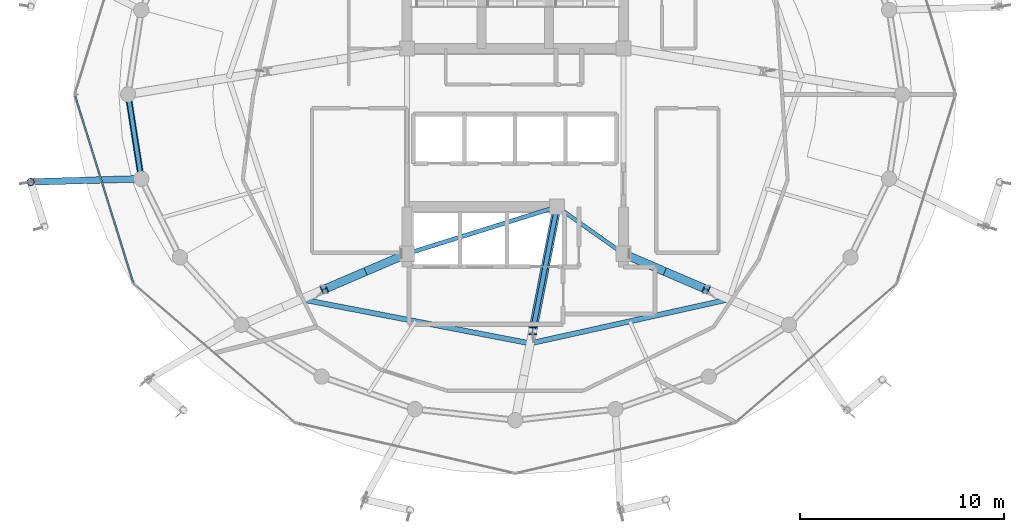
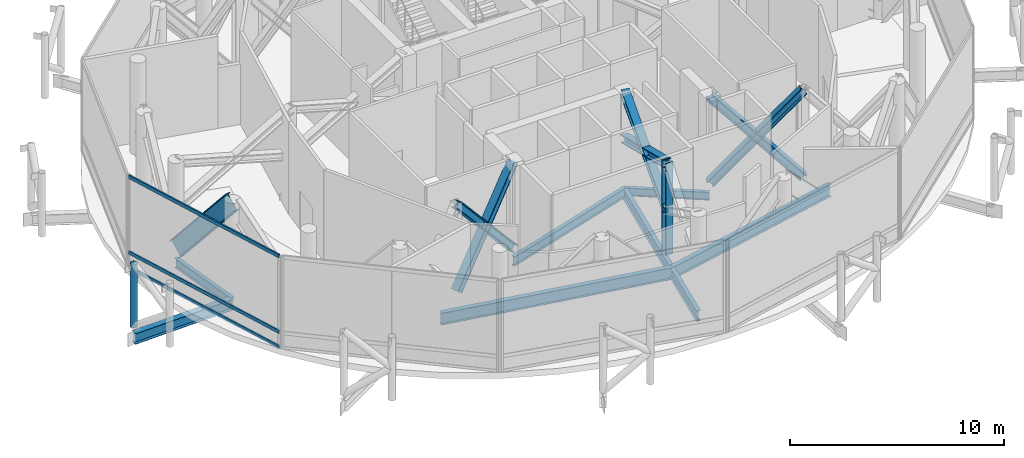
# One storey, part 5 of 26: 12 members, 7 beams, 1 element without a shape of its own.
"""IFC4 building model written with IfcOpenShell, lengths in metres."""

from ifc_helpers import new_model, si_unit, direction, frame, origin, origin_2d, place, context, subcontext, project, spatial, hollow_rectangle, hollow_circle, i_section, extrude, material, layer, layer_set, material_profile, profile_set, type_object, element, aggregate, save


model = new_model("IFC4")

# Units and contexts
model_context = context("Model", 3, precision=1e-05, world=origin(), true_north=direction((0.0, 1.0)))
body_context = subcontext(model_context, "Body", "Model", "MODEL_VIEW")
ifc_project = project(units=[si_unit("LENGTHUNIT", "METRE"), si_unit("AREAUNIT", "SQUARE_METRE"), si_unit("VOLUMEUNIT", "CUBIC_METRE"), si_unit("PLANEANGLEUNIT", "RADIAN"), si_unit("MASSUNIT", "GRAM", prefix="KILO")], contexts=[model_context])

# Site, building, storey
site_placement = place(None, origin())
site = spatial("IfcSite", under=ifc_project, at=site_placement, CompositionType="ELEMENT")
building_placement = place(site_placement, origin())
building = spatial("IfcBuilding", under=site, at=building_placement, Name="Nuhasar Tower", CompositionType="ELEMENT")
storey_placement = place(building_placement, frame((0.0, 0.0, 301.199951171875)))
storey = spatial("IfcBuildingStorey", under=building, at=storey_placement, Name="L75", CompositionType="ELEMENT", Elevation=301.199951171875)

# Member
ifc_material_1 = material(Name="Steel S460", Category="steel")
ifc_material_profile_1 = material_profile(ifc_material_1, i_section(OverallWidth=0.306884765625, OverallDepth=0.927001953125, WebThickness=0.019287109375, FlangeThickness=0.031982421875, at=origin_2d()), Name="W36X194")
ifc_profile_set_1 = profile_set([ifc_material_profile_1], Name="Steel S460")
member_type_1 = type_object("IfcMemberType", Name="BLT-DIAG-W36B", PredefinedType="CHORD", material=ifc_profile_set_1)
member_1_placement = place(storey_placement, frame((20.050048828125, 26.800048828125, 0.150146484375), z_axis=(0.099727894246, -0.637263505636, 0.764165931912), x_axis=(0.987975241776, 0.154612165232, 0.0)))
element("IfcMember", 1, at=member_1_placement, inside=storey, type_object=member_type_1, Name="L75 Belt Truss Diagonal 13", PredefinedType="CHORD", context=body_context, shape_type="SweptSolid", body=[
    extrude(i_section(OverallWidth=0.306884765625, OverallDepth=0.927001953125, WebThickness=0.019287109375, FlangeThickness=0.031982421875, at=origin_2d()), origin(), (0.0, 0.0, 1.0), 6.4775390625),
])

# Beams
ifc_material_2 = material(Name="Steel S355", Category="steel")
ifc_material_profile_2 = material_profile(ifc_material_2, i_section(OverallWidth=0.25390625, OverallDepth=0.68408203125, WebThickness=0.012451171875, FlangeThickness=0.018798828125, at=origin_2d()), Name="W27X94")
ifc_profile_set_2 = profile_set([ifc_material_profile_2], Name="Steel S355")
beam_type_1 = type_object("IfcBeamType", Name="BM-INRING-W27X94", PredefinedType="BEAM", material=ifc_profile_set_2)
beam_1_placement = place(storey_placement, frame((28.51611328125, 16.77392578125, -0.69189453125), z_axis=(0.981944682954, -0.189168283859, 0.0), x_axis=(0.189168283859, 0.981944682954, 0.0)))
element("IfcBeam", 2, at=beam_1_placement, inside=storey, type_object=beam_type_1, Name="L75 Inner Header Beam 01", PredefinedType="BEAM", context=body_context, shape_type="SweptSolid", body=[
    extrude(i_section(OverallWidth=0.25390625, OverallDepth=0.68408203125, WebThickness=0.012451171875, FlangeThickness=0.018798828125, at=origin_2d()), origin(), (0.0, 0.0, 1.0), 11.42822265625),
])
beam_2_placement = place(storey_placement, frame((39.738037109375, 14.612060546875, -0.69189453125), z_axis=(0.97626927806, 0.216560145726, 0.0), x_axis=(-0.216560145726, 0.97626927806, 0.0)))
element("IfcBeam", 3, at=beam_2_placement, inside=storey, type_object=beam_type_1, Name="L75 Inner Header Beam 02", PredefinedType="BEAM", context=body_context, shape_type="SweptSolid", body=[
    extrude(i_section(OverallWidth=0.25390625, OverallDepth=0.68408203125, WebThickness=0.012451171875, FlangeThickness=0.018798828125, at=origin_2d()), origin(), (0.0, 0.0, 1.0), 9.982666015625),
])
ifc_material_profile_3 = material_profile(ifc_material_2, i_section(OverallWidth=0.18994140625, OverallDepth=0.45703125, WebThickness=0.009033203125, FlangeThickness=0.014404296875, at=origin_2d()), Name="W18X50")
ifc_profile_set_3 = profile_set([ifc_material_profile_3], Name="Steel S355")
beam_type_2 = type_object("IfcBeamType", Name="BM-RAD-W18X50", PredefinedType="BEAM", material=ifc_profile_set_3)
beam_3_placement = place(storey_placement, frame((41.050048828125, 21.300048828125, -0.577880859375), z_axis=(0.816265428953, -0.577677028708, 0.0), x_axis=(0.577677028708, 0.816265428953, 0.0)))
element("IfcBeam", 4, at=beam_3_placement, inside=storey, type_object=beam_type_2, Name="L75 Core Ring Girder 2", PredefinedType="BEAM", context=body_context, shape_type="SweptSolid", body=[
    extrude(i_section(OverallWidth=0.18994140625, OverallDepth=0.45703125, WebThickness=0.009033203125, FlangeThickness=0.014404296875, at=origin_2d()), origin(), (0.0, 0.0, 1.0), 3.9814453125),
])
ifc_material_profile_4 = material_profile(ifc_material_2, i_section(OverallWidth=0.208984375, OverallDepth=0.528076171875, WebThickness=0.009521484375, FlangeThickness=0.01318359375, at=origin_2d()), Name="W21X55")
ifc_profile_set_4 = profile_set([ifc_material_profile_4], Name="Steel S355")
beam_type_3 = type_object("IfcBeamType", Name="BM-RAD-W21X55", PredefinedType="BEAM", material=ifc_profile_set_4)
beam_4_placement = place(storey_placement, frame((33.699951171875, 19.0, -0.614013671875), z_axis=(0.954363709454, 0.298646798205, 0.0), x_axis=(-0.298646798205, 0.954363709454, 0.0)))
element("IfcBeam", 5, at=beam_4_placement, inside=storey, type_object=beam_type_3, Name="L75 Core Ring Girder 1", PredefinedType="BEAM", context=body_context, shape_type="SweptSolid", body=[
    extrude(i_section(OverallWidth=0.208984375, OverallDepth=0.528076171875, WebThickness=0.009521484375, FlangeThickness=0.01318359375, at=origin_2d()), origin(), (0.0, 0.0, 1.0), 7.70166015625),
])
ifc_material_profile_5 = material_profile(ifc_material_2, i_section(OverallWidth=0.22900390625, OverallDepth=0.612060546875, WebThickness=0.011962890625, FlangeThickness=0.01953125, at=origin_2d()), Name="W24X84")
ifc_profile_set_5 = profile_set([ifc_material_profile_5], Name="Steel S355")
beam_type_4 = type_object("IfcBeamType", Name="BM-RAD-W24X84", PredefinedType="BEAM", material=ifc_profile_set_5)
beam_5_placement = place(storey_placement, frame((41.050048828125, 21.300048828125, -0.656005859375), z_axis=(-0.192508395576, -0.981295326409, 0.0), x_axis=(0.981295326409, -0.192508395576, 0.0)))
element("IfcBeam", 6, at=beam_5_placement, inside=storey, type_object=beam_type_4, Name="L75 Radial Floor Girder 02", PredefinedType="BEAM", context=body_context, shape_type="SweptSolid", body=[
    extrude(i_section(OverallWidth=0.22900390625, OverallDepth=0.612060546875, WebThickness=0.011962890625, FlangeThickness=0.01953125, at=origin_2d()), origin(), (0.0, 0.0, 1.0), 10.649169921875),
])
ifc_material_profile_6 = material_profile(ifc_material_2, i_section(OverallWidth=0.2099609375, OverallDepth=0.537109375, WebThickness=0.010986328125, FlangeThickness=0.017333984375, at=origin_2d()), Name="W21X68")
ifc_profile_set_6 = profile_set([ifc_material_profile_6], Name="Steel S355")
beam_type_5 = type_object("IfcBeamType", Name="BM-RING-W21X68", PredefinedType="SPANDREL", material=ifc_profile_set_6)
beam_6_placement = place(storey_placement, frame((20.050048828125, 26.800048828125, -0.617919921875), z_axis=(0.154612165232, -0.987975241776, 0.0), x_axis=(0.987975241776, 0.154612165232, 0.0)))
element("IfcBeam", 7, at=beam_6_placement, inside=storey, type_object=beam_type_5, Name="L75 Perimeter Ring Spandrel 13", PredefinedType="SPANDREL", context=body_context, shape_type="SweptSolid", body=[
    extrude(i_section(OverallWidth=0.2099609375, OverallDepth=0.537109375, WebThickness=0.010986328125, FlangeThickness=0.017333984375, at=origin_2d()), origin(), (0.0, 0.0, 1.0), 4.17822265625),
])
ifc_material_profile_7 = material_profile(ifc_material_2, i_section(OverallWidth=0.323974609375, OverallDepth=0.611083984375, WebThickness=0.0126953125, FlangeThickness=0.01904296875, at=origin_2d()), Name="W24X104")
ifc_profile_set_7 = profile_set([ifc_material_profile_7], Name="Steel S355")
beam_type_6 = type_object("IfcBeamType", Name="BM-TIE-W24X104", PredefinedType="BEAM", material=ifc_profile_set_7)
beam_7_placement = place(storey_placement, frame((20.696044921875, 22.672119140625, -0.655029296875), z_axis=(-0.999573346236, -0.029208312065, 0.0), x_axis=(0.029208312065, -0.999573346236, 0.0)))
element("IfcBeam", 8, at=beam_7_placement, inside=storey, type_object=beam_type_6, Name="L75 Exoskeleton Node Tie Beam 07", PredefinedType="BEAM", context=body_context, shape_type="SweptSolid", body=[
    extrude(i_section(OverallWidth=0.323974609375, OverallDepth=0.611083984375, WebThickness=0.0126953125, FlangeThickness=0.01904296875, at=origin_2d()), origin(), (0.0, 0.0, 1.0), 5.416259765625),
])

# Curtain wall, members
ifc_material_3 = material(Name="Aluminium 6063-T6", Category="aluminium")
ifc_layer = layer(ifc_material_3, 0.219970703125)
ifc_layer_set = layer_set([ifc_layer], Name="Aluminium 6063-T6")
curtain_wall_type = type_object("IfcCurtainWallType", Name="CW-CROWN", PredefinedType="NOTDEFINED", material=ifc_layer_set)
curtain_wall_placement = place(storey_placement, origin())
curtain_wall = element("IfcCurtainWall", 9, at=curtain_wall_placement, inside=storey, type_object=curtain_wall_type, Name="L75 Unitised Curtain Wall 07", PredefinedType="NOTDEFINED")
ifc_material_profile_8 = material_profile(ifc_material_3, hollow_rectangle(XDim=0.080078125, YDim=0.199951171875, WallThickness=0.00439453125, at=origin_2d()), Name="CWT-7")
ifc_profile_set_8 = profile_set([ifc_material_profile_8], Name="Aluminium 6063-T6")
member_type_2 = type_object("IfcMemberType", Name="CW-TRN-S7", PredefinedType="USERDEFINED", material=ifc_profile_set_8)
member_2_placement = place(storey_placement, frame((17.4638671875, 26.7236328125, 0.0400390625), z_axis=(0.297138999145, -0.954834234403, 0.0), x_axis=(0.954834234403, 0.297138999145, 0.0)))
member_2 = element("IfcMember", 10, at=member_2_placement, type_object=member_type_2, Name="CW-CR transom 1.1", ObjectType="TRANSOM", PredefinedType="USERDEFINED", context=body_context, shape_type="SweptSolid", body=[
    extrude(hollow_rectangle(XDim=0.080078125, YDim=0.199951171875, WallThickness=0.00439453125, at=origin_2d()), origin(), (0.0, 0.0, 1.0), 9.558837890625),
])
member_3_placement = place(storey_placement, frame((17.4638671875, 26.7236328125, 0.900146484375), z_axis=(0.297138999145, -0.954834234403, 0.0), x_axis=(0.954834234403, 0.297138999145, 0.0)))
member_3 = element("IfcMember", 11, at=member_3_placement, type_object=member_type_2, Name="CW-CR transom 1.2", ObjectType="TRANSOM", PredefinedType="USERDEFINED", context=body_context, shape_type="SweptSolid", body=[
    extrude(hollow_rectangle(XDim=0.080078125, YDim=0.199951171875, WallThickness=0.00439453125, at=origin_2d()), origin(), (0.0, 0.0, 1.0), 9.558837890625),
])
member_4_placement = place(storey_placement, frame((17.4638671875, 26.7236328125, 5.2099609375), z_axis=(0.297138999145, -0.954834234403, 0.0), x_axis=(0.954834234403, 0.297138999145, 0.0)))
member_4 = element("IfcMember", 12, at=member_4_placement, type_object=member_type_2, Name="CW-CR transom 1.3", ObjectType="TRANSOM", PredefinedType="USERDEFINED", context=body_context, shape_type="SweptSolid", body=[
    extrude(hollow_rectangle(XDim=0.080078125, YDim=0.199951171875, WallThickness=0.00439453125, at=origin_2d()), origin(), (0.0, 0.0, 1.0), 9.558837890625),
])
aggregate(curtain_wall, [member_2, member_3, member_4])

# Members
ifc_material_profile_9 = material_profile(ifc_material_1, hollow_circle(Radius=0.177734375, WallThickness=0.015869140625, at=origin_2d()), Name="HSS355.6X15.9")
ifc_profile_set_9 = profile_set([ifc_material_profile_9], Name="Steel S460")
member_type_3 = type_object("IfcMemberType", Name="EXO-BRONZE-356", PredefinedType="BRACE", material=ifc_profile_set_9)
member_5_placement = place(storey_placement, frame((15.281982421875, 22.513916015625, 0.0), z_axis=(0.0, 0.0, 1.0), x_axis=(1.0, 0.0, 0.0)))
element("IfcMember", 13, at=member_5_placement, inside=storey, type_object=member_type_3, Name="L75 Exoskeleton Chord Column EC-07A", PredefinedType="BRACE", context=body_context, shape_type="SweptSolid", body=[
    extrude(hollow_circle(Radius=0.177734375, WallThickness=0.015869140625, at=origin_2d()), origin(), (0.0, 0.0, 1.0), 3.60009765625),
])
ifc_material_profile_10 = material_profile(ifc_material_1, i_section(OverallWidth=0.39892578125, OverallDepth=0.385986328125, WebThickness=0.02099609375, FlangeThickness=0.033203125, at=origin_2d()), Name="W14X176")
ifc_profile_set_10 = profile_set([ifc_material_profile_10], Name="Steel S460")
member_type_4 = type_object("IfcMemberType", Name="OUT-CHRD-W14C", PredefinedType="CHORD", material=ifc_profile_set_10)
member_6_placement = place(storey_placement, frame((39.861083984375, 15.239013671875, 0.0), z_axis=(0.0, 0.0, 1.0), x_axis=(1.0, 0.0, 0.0)))
element("IfcMember", 14, at=member_6_placement, inside=storey, type_object=member_type_4, Name="L75 Outrigger Truss Post 02", PredefinedType="CHORD", context=body_context, shape_type="SweptSolid", body=[
    extrude(i_section(OverallWidth=0.39892578125, OverallDepth=0.385986328125, WebThickness=0.02099609375, FlangeThickness=0.033203125, at=origin_2d()), origin(), (0.0, 0.0, 1.0), 5.25),
])
ifc_material_profile_11 = material_profile(ifc_material_1, i_section(OverallWidth=0.406005859375, OverallDepth=0.416015625, WebThickness=0.02978515625, FlangeThickness=0.048095703125, at=origin_2d()), Name="W14X257")
ifc_profile_set_11 = profile_set([ifc_material_profile_11], Name="Steel S460")
member_type_5 = type_object("IfcMemberType", Name="OUT-DIAG-W14B", PredefinedType="STRUT", material=ifc_profile_set_11)
for number, where, z_axis, x_axis, name in (
    (15, (33.699951171875, 19.0, 0.150146484375), (-0.611060487065, -0.262377711096, 0.746835335176), (0.394547603898, -0.918875502045, 0.0), "L75 Outrigger Truss Diagonal IN1-01"),
    (16, (29.64990234375, 17.260986328125, 0.150146484375), (0.611060487065, 0.262377711096, 0.746835335176), (-0.394547603898, 0.918875502045, 0.0), "L75 Outrigger Truss Diagonal IN2-01"),
):
    element("IfcMember", number, at=place(storey_placement, frame(where, z_axis=z_axis, x_axis=x_axis)), inside=storey, type_object=member_type_5, Name=name, PredefinedType="STRUT", context=body_context, shape_type="SweptSolid", body=[
        extrude(i_section(OverallWidth=0.406005859375, OverallDepth=0.416015625, WebThickness=0.02978515625, FlangeThickness=0.048095703125, at=origin_2d()), origin(), (0.0, 0.0, 1.0), 6.6279296875),
    ])
for number, where, z_axis, x_axis, name in (
    (17, (41.050048828125, 21.300048828125, 2.449951171875), (-0.176900578622, -0.901793380877, 0.394303035101), (0.981297648607, -0.192496557992, 0.0), "L75 Outrigger Truss Diagonal IN1-02"),
    (18, (39.861083984375, 15.239013671875, 2.449951171875), (0.176900578622, 0.901793380877, 0.394303035101), (-0.981297648607, 0.192496557992, 0.0), "L75 Outrigger Truss Diagonal IN2-02"),
):
    element("IfcMember", number, at=place(storey_placement, frame(where, z_axis=z_axis, x_axis=x_axis)), inside=storey, type_object=member_type_5, Name=name, PredefinedType="STRUT", context=body_context, shape_type="SweptSolid", body=[
        extrude(i_section(OverallWidth=0.406005859375, OverallDepth=0.416015625, WebThickness=0.02978515625, FlangeThickness=0.048095703125, at=origin_2d()), origin(), (0.0, 0.0, 1.0), 6.72119140625),
    ])
for number, where, z_axis, x_axis, name in (
    (19, (44.300048828125, 19.0, 0.150146484375), (0.611060487065, -0.262377711096, 0.746835335176), (0.394547603898, 0.918875502045, 0.0), "L75 Outrigger Truss Diagonal IN1-03"),
    (20, (48.35009765625, 17.260986328125, 0.150146484375), (-0.611060487065, 0.262377711096, 0.746835335176), (-0.394547603898, -0.918875502045, 0.0), "L75 Outrigger Truss Diagonal IN2-03"),
):
    element("IfcMember", number, at=place(storey_placement, frame(where, z_axis=z_axis, x_axis=x_axis)), inside=storey, type_object=member_type_5, Name=name, PredefinedType="STRUT", context=body_context, shape_type="SweptSolid", body=[
        extrude(i_section(OverallWidth=0.406005859375, OverallDepth=0.416015625, WebThickness=0.02978515625, FlangeThickness=0.048095703125, at=origin_2d()), origin(), (0.0, 0.0, 1.0), 6.6279296875),
    ])

save(model, "model.ifc")
